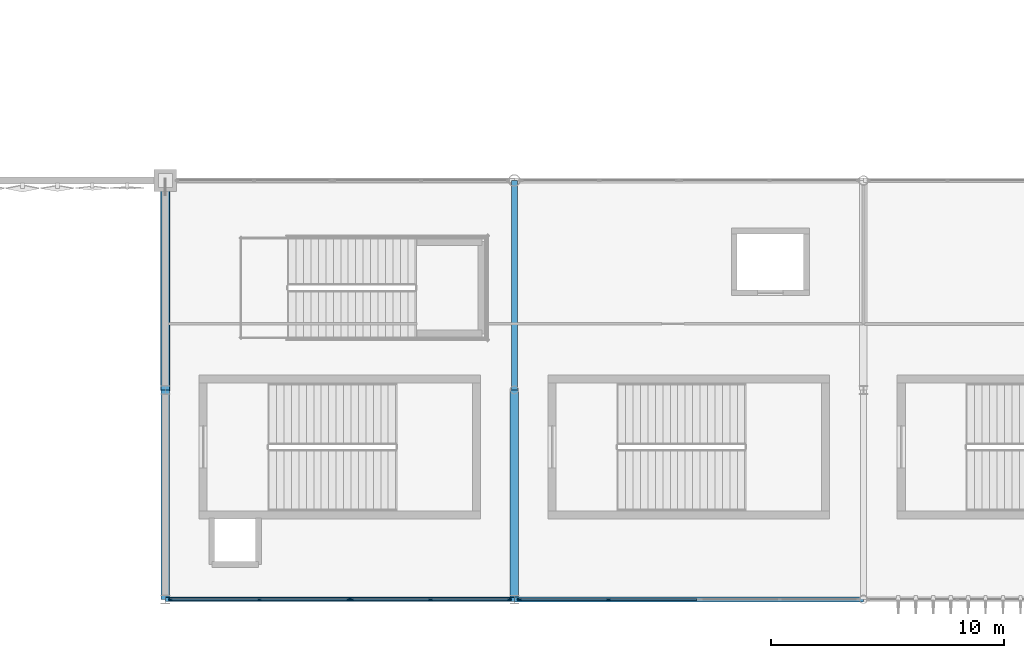
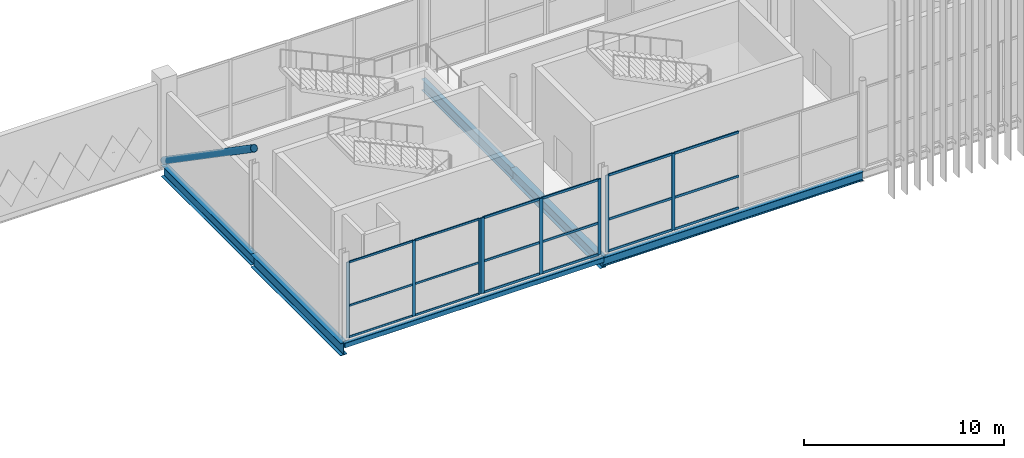
# One storey, part 24 of 119: 27 members, 6 beams, 3 elements without a shape of their own.
"""IFC4 building model written with IfcOpenShell, lengths in metres."""

from ifc_helpers import new_model, si_unit, direction, frame, origin, origin_2d, place, context, subcontext, project, spatial, rectangle, hollow_rectangle, hollow_circle, i_section, extrude, material, layer, layer_set, material_profile, profile_set, type_object, element, aggregate, save


model = new_model("IFC4")

# Units and contexts
model_context = context("Model", 3, precision=1e-05, world=origin(), true_north=direction((0.0, 1.0)))
body_context = subcontext(model_context, "Body", "Model", "MODEL_VIEW")
ifc_project = project(units=[si_unit("LENGTHUNIT", "METRE"), si_unit("AREAUNIT", "SQUARE_METRE"), si_unit("VOLUMEUNIT", "CUBIC_METRE"), si_unit("PLANEANGLEUNIT", "RADIAN"), si_unit("MASSUNIT", "GRAM", prefix="KILO")], contexts=[model_context])

# Site, building, storey
site_placement = place(None, origin())
site = spatial("IfcSite", under=ifc_project, at=site_placement, CompositionType="ELEMENT")
building_placement = place(site_placement, origin())
building = spatial("IfcBuilding", under=site, at=building_placement, Name="Qamarlyn Nura Convention Centre", CompositionType="ELEMENT")
storey_placement = place(building_placement, frame((0.0, 0.0, 5.39990234375)))
storey = spatial("IfcBuildingStorey", under=building, at=storey_placement, Name="L01", CompositionType="ELEMENT", Elevation=5.39990234375)

# Beams
ifc_material_1 = material(Name="Steel ASTM A992", Category="steel")
ifc_material_profile_1 = material_profile(ifc_material_1, i_section(OverallWidth=0.35498046875, OverallDepth=0.695068359375, WebThickness=0.015380859375, FlangeThickness=0.02490234375, FilletRadius=0.01806640625, at=origin_2d()), Name="W690X217")
ifc_profile_set_1 = profile_set([ifc_material_profile_1], Name="Steel ASTM A992")
beam_type_1 = type_object("IfcBeamType", Name="BM-GIRD-690A", PredefinedType="BEAM", material=ifc_profile_set_1)
for number, where, z_axis, x_axis, name in (
    (1, (60.0, 9.0, -0.5673828125), (0.0, 1.0, 0.0), (-1.0, 0.0, 0.0), "L01 girder 5 B-C"),
    (2, (75.0, 0.0, -0.5673828125), (0.0, 1.0, 0.0), (-1.0, 0.0, 0.0), "L01 girder 6 A-B"),
):
    element("IfcBeam", number, at=place(storey_placement, frame(where, z_axis=z_axis, x_axis=x_axis)), inside=storey, type_object=beam_type_1, Name=name, PredefinedType="BEAM", context=body_context, shape_type="SweptSolid", body=[
        extrude(i_section(OverallWidth=0.35498046875, OverallDepth=0.695068359375, WebThickness=0.015380859375, FlangeThickness=0.02490234375, FilletRadius=0.01806640625, at=origin_2d()), origin(), (0.0, 0.0, 1.0), 9.0),
    ])
ifc_material_profile_2 = material_profile(ifc_material_1, i_section(OverallWidth=0.25390625, OverallDepth=0.68408203125, WebThickness=0.012451171875, FlangeThickness=0.01904296875, FilletRadius=0.01806640625, at=origin_2d()), Name="W690X140")
ifc_profile_set_2 = profile_set([ifc_material_profile_2], Name="Steel ASTM A992")
beam_type_2 = type_object("IfcBeamType", Name="BM-GIRD-690B", PredefinedType="BEAM", material=ifc_profile_set_2)
beam_1_placement = place(storey_placement, frame((75.0, 9.0, -0.56201171875), z_axis=(0.0, 1.0, 0.0), x_axis=(-1.0, 0.0, 0.0)))
element("IfcBeam", 3, at=beam_1_placement, inside=storey, type_object=beam_type_2, Name="L01 girder 6 B-C", PredefinedType="BEAM", context=body_context, shape_type="SweptSolid", body=[
    extrude(i_section(OverallWidth=0.25390625, OverallDepth=0.68408203125, WebThickness=0.012451171875, FlangeThickness=0.01904296875, FilletRadius=0.01806640625, at=origin_2d()), origin(), (0.0, 0.0, 1.0), 9.0),
])
ifc_material_profile_3 = material_profile(ifc_material_1, i_section(OverallWidth=0.381103515625, OverallDepth=0.77294921875, WebThickness=0.0166015625, FlangeThickness=0.027587890625, FilletRadius=0.02001953125, at=origin_2d()), Name="W760X257")
ifc_profile_set_3 = profile_set([ifc_material_profile_3], Name="Steel ASTM A992")
beam_type_3 = type_object("IfcBeamType", Name="BM-GIRD-760", PredefinedType="BEAM", material=ifc_profile_set_3)
beam_2_placement = place(storey_placement, frame((60.0, 0.0, -0.6064453125), z_axis=(0.0, 1.0, 0.0), x_axis=(-1.0, 0.0, 0.0)))
element("IfcBeam", 4, at=beam_2_placement, inside=storey, type_object=beam_type_3, Name="L01 girder 5 A-B", PredefinedType="BEAM", context=body_context, shape_type="SweptSolid", body=[
    extrude(i_section(OverallWidth=0.381103515625, OverallDepth=0.77294921875, WebThickness=0.0166015625, FlangeThickness=0.027587890625, FilletRadius=0.02001953125, at=origin_2d()), origin(), (0.0, 0.0, 1.0), 9.0),
])
ifc_material_profile_4 = material_profile(ifc_material_1, i_section(OverallWidth=0.2109375, OverallDepth=0.5390625, WebThickness=0.01171875, FlangeThickness=0.018798828125, FilletRadius=0.013916015625, at=origin_2d()), Name="W530X109")
ifc_profile_set_4 = profile_set([ifc_material_profile_4], Name="Steel ASTM A992")
beam_type_4 = type_object("IfcBeamType", Name="BM-SPAN-530", PredefinedType="SPANDREL", material=ifc_profile_set_4)
beam_3_placement = place(storey_placement, frame((75.0, 0.0, -0.489501953125), z_axis=(1.0, 0.0, 0.0), x_axis=(0.0, 1.0, 0.0)))
element("IfcBeam", 5, at=beam_3_placement, inside=storey, type_object=beam_type_4, Name="L01 girder A 6-7", PredefinedType="SPANDREL", context=body_context, shape_type="SweptSolid", body=[
    extrude(i_section(OverallWidth=0.2109375, OverallDepth=0.5390625, WebThickness=0.01171875, FlangeThickness=0.018798828125, FilletRadius=0.013916015625, at=origin_2d()), origin(), (0.0, 0.0, 1.0), 15.0),
])
ifc_material_2 = material(Name="Steel ASTM A500 Grade C", Category="steel")
ifc_material_profile_5 = material_profile(ifc_material_2, hollow_rectangle(XDim=0.199951171875, YDim=0.300048828125, WallThickness=0.012451171875, InnerFilletRadius=0.012451171875, OuterFilletRadius=0.02490234375, at=origin_2d()), Name="HSS300X200X12.5")
ifc_profile_set_5 = profile_set([ifc_material_profile_5], Name="Steel ASTM A500 Grade C")
beam_type_5 = type_object("IfcBeamType", Name="BM-SPAN-HSS", PredefinedType="SPANDREL", material=ifc_profile_set_5)
beam_4_placement = place(storey_placement, frame((60.0, 0.0, -0.369873046875), z_axis=(1.0, 0.0, 0.0), x_axis=(0.0, 1.0, 0.0)))
element("IfcBeam", 6, at=beam_4_placement, inside=storey, type_object=beam_type_5, Name="L01 girder A 5-6", PredefinedType="SPANDREL", context=body_context, shape_type="SweptSolid", body=[
    extrude(hollow_rectangle(XDim=0.199951171875, YDim=0.300048828125, WallThickness=0.012451171875, InnerFilletRadius=0.012451171875, OuterFilletRadius=0.02490234375, at=origin_2d()), origin(), (0.0, 0.0, 1.0), 15.0),
])

# Curtain wall, members
ifc_material_3 = material(Name="Double-silver low-E insulated glass", Category="glass")
ifc_layer_1 = layer(ifc_material_3, 0.179931640625, Name="CW-UNIT-10")
ifc_layer_set_1 = layer_set([ifc_layer_1], Name="Double-silver low-E insulated glass")
curtain_wall_type_1 = type_object("IfcCurtainWallType", Name="CW-UNIT-10", PredefinedType="NOTDEFINED", material=ifc_layer_set_1)
curtain_wall_1_placement = place(storey_placement, origin())
curtain_wall_1 = element("IfcCurtainWall", 7, at=curtain_wall_1_placement, inside=storey, type_object=curtain_wall_type_1, Name="L01 unitised curtain wall SF-S1-1B", PredefinedType="NOTDEFINED")
ifc_material_4 = material(Name="Champagne-anodised marine aluminium", Category="aluminium")
ifc_material_profile_6 = material_profile(ifc_material_4, rectangle(XDim=0.06494140625, YDim=0.159912109375, at=origin_2d()), Name="ALU MULLION 65x160")
ifc_profile_set_6 = profile_set([ifc_material_profile_6], Name="Champagne-anodised marine aluminium")
member_type_1 = type_object("IfcMemberType", Name="CWM-160", PredefinedType="MULLION", material=ifc_profile_set_6)
member_1_placement = place(storey_placement, frame((67.86767578125, 0.0, 0.0), z_axis=(0.0, 0.0, 1.0), x_axis=(0.0, -1.0, 0.0)))
member_1 = element("IfcMember", 8, at=member_1_placement, type_object=member_type_1, Name="CW10 mullion 1", PredefinedType="MULLION", context=body_context, shape_type="SweptSolid", body=[
    extrude(rectangle(XDim=0.06494140625, YDim=0.159912109375, at=origin_2d()), origin(), (0.0, 0.0, 1.0), 4.6259765625),
])
member_2_placement = place(storey_placement, frame((64.04345703125, 0.0, 0.0), z_axis=(0.0, 0.0, 1.0), x_axis=(0.0, -1.0, 0.0)))
member_2 = element("IfcMember", 9, at=member_2_placement, type_object=member_type_1, Name="CW10 mullion 2", PredefinedType="MULLION", context=body_context, shape_type="SweptSolid", body=[
    extrude(rectangle(XDim=0.06494140625, YDim=0.159912109375, at=origin_2d()), origin(), (0.0, 0.0, 1.0), 4.6259765625),
])
member_3_placement = place(storey_placement, frame((60.219482421875, 0.0, 0.0), z_axis=(0.0, 0.0, 1.0), x_axis=(0.0, -1.0, 0.0)))
member_3 = element("IfcMember", 10, at=member_3_placement, type_object=member_type_1, Name="CW10 mullion 3", PredefinedType="MULLION", context=body_context, shape_type="SweptSolid", body=[
    extrude(rectangle(XDim=0.06494140625, YDim=0.159912109375, at=origin_2d()), origin(), (0.0, 0.0, 1.0), 4.6259765625),
])

ifc_layer_2 = layer(ifc_material_3, 0.179931640625, Name="CW-UNIT-09")
ifc_layer_set_2 = layer_set([ifc_layer_2], Name="Double-silver low-E insulated glass")
curtain_wall_type_2 = type_object("IfcCurtainWallType", Name="CW-UNIT-09", PredefinedType="NOTDEFINED", material=ifc_layer_set_2)
curtain_wall_2_placement = place(storey_placement, origin())
curtain_wall_2 = element("IfcCurtainWall", 11, at=curtain_wall_2_placement, inside=storey, type_object=curtain_wall_type_2, Name="L01 unitised curtain wall SF-S1-1A", PredefinedType="NOTDEFINED")
ifc_material_profile_7 = material_profile(ifc_material_4, rectangle(XDim=0.070068359375, YDim=0.179931640625, at=origin_2d()), Name="ALU MULLION 70x180")
ifc_profile_set_7 = profile_set([ifc_material_profile_7], Name="Champagne-anodised marine aluminium")
member_type_2 = type_object("IfcMemberType", Name="CWM-180", PredefinedType="MULLION", material=ifc_profile_set_7)
member_4_placement = place(storey_placement, frame((74.780517578125, 0.0, 0.0), z_axis=(0.0, 0.0, 1.0), x_axis=(0.0, -1.0, 0.0)))
member_4 = element("IfcMember", 12, at=member_4_placement, type_object=member_type_2, Name="CW09 mullion 1", PredefinedType="MULLION", context=body_context, shape_type="SweptSolid", body=[
    extrude(rectangle(XDim=0.070068359375, YDim=0.179931640625, at=origin_2d()), origin(), (0.0, 0.0, 1.0), 4.6259765625),
])
member_5_placement = place(storey_placement, frame((71.397705078125, 0.0, 0.0), z_axis=(0.0, 0.0, 1.0), x_axis=(0.0, -1.0, 0.0)))
member_5 = element("IfcMember", 13, at=member_5_placement, type_object=member_type_2, Name="CW09 mullion 2", PredefinedType="MULLION", context=body_context, shape_type="SweptSolid", body=[
    extrude(rectangle(XDim=0.070068359375, YDim=0.179931640625, at=origin_2d()), origin(), (0.0, 0.0, 1.0), 4.6259765625),
])
member_6_placement = place(storey_placement, frame((68.01513671875, 0.0, 0.0), z_axis=(0.0, 0.0, 1.0), x_axis=(0.0, -1.0, 0.0)))
member_6 = element("IfcMember", 14, at=member_6_placement, type_object=member_type_2, Name="CW09 mullion 3", PredefinedType="MULLION", context=body_context, shape_type="SweptSolid", body=[
    extrude(rectangle(XDim=0.070068359375, YDim=0.179931640625, at=origin_2d()), origin(), (0.0, 0.0, 1.0), 4.6259765625),
])

ifc_layer_3 = layer(ifc_material_3, 0.179931640625, Name="CW-UNIT-12")
ifc_layer_set_3 = layer_set([ifc_layer_3], Name="Double-silver low-E insulated glass")
curtain_wall_type_3 = type_object("IfcCurtainWallType", Name="CW-UNIT-12", PredefinedType="NOTDEFINED", material=ifc_layer_set_3)
curtain_wall_3_placement = place(storey_placement, origin())
curtain_wall_3 = element("IfcCurtainWall", 15, at=curtain_wall_3_placement, inside=storey, type_object=curtain_wall_type_3, Name="L01 unitised curtain wall SF-S2-1B", PredefinedType="NOTDEFINED")
member_7_placement = place(storey_placement, frame((79.04345703125, 0.0, 0.0), z_axis=(0.0, 0.0, 1.0), x_axis=(0.0, -1.0, 0.0)))
member_7 = element("IfcMember", 16, at=member_7_placement, type_object=member_type_2, Name="CW12 mullion 2", PredefinedType="MULLION", context=body_context, shape_type="SweptSolid", body=[
    extrude(rectangle(XDim=0.070068359375, YDim=0.179931640625, at=origin_2d()), origin(), (0.0, 0.0, 1.0), 4.69921875),
])
member_8_placement = place(storey_placement, frame((75.219482421875, 0.0, 0.0), z_axis=(0.0, 0.0, 1.0), x_axis=(0.0, -1.0, 0.0)))
member_8 = element("IfcMember", 17, at=member_8_placement, type_object=member_type_2, Name="CW12 mullion 3", PredefinedType="MULLION", context=body_context, shape_type="SweptSolid", body=[
    extrude(rectangle(XDim=0.070068359375, YDim=0.179931640625, at=origin_2d()), origin(), (0.0, 0.0, 1.0), 4.69921875),
])

# Member
ifc_material_profile_8 = material_profile(ifc_material_4, rectangle(XDim=0.06494140625, YDim=0.1201171875, at=origin_2d()), Name="ALU TRANSOM 65x120")
ifc_profile_set_8 = profile_set([ifc_material_profile_8], Name="Champagne-anodised marine aluminium")
member_type_3 = type_object("IfcMemberType", Name="CWT-120", PredefinedType="USERDEFINED", material=ifc_profile_set_8)
member_9_placement = place(storey_placement, frame((67.835205078125, 0.0, 0.03271484375), z_axis=(-1.0, 0.0, 0.0), x_axis=(0.0, -1.0, 0.0)))
member_9 = element("IfcMember", 18, at=member_9_placement, type_object=member_type_3, Name="CW10 transom 1.1", ObjectType="TRANSOM", PredefinedType="USERDEFINED", context=body_context, shape_type="SweptSolid", body=[
    extrude(rectangle(XDim=0.06494140625, YDim=0.1201171875, at=origin_2d()), origin(), (0.0, 0.0, 1.0), 3.759033203125),
])

member_10_placement = place(storey_placement, frame((67.835205078125, 0.0, 1.943115234375), z_axis=(-1.0, 0.0, 0.0), x_axis=(0.0, -1.0, 0.0)))
member_10 = element("IfcMember", 19, at=member_10_placement, type_object=member_type_3, Name="CW10 transom 1.2", ObjectType="TRANSOM", PredefinedType="USERDEFINED", context=body_context, shape_type="SweptSolid", body=[
    extrude(rectangle(XDim=0.06494140625, YDim=0.1201171875, at=origin_2d()), origin(), (0.0, 0.0, 1.0), 3.759033203125),
])

member_11_placement = place(storey_placement, frame((67.835205078125, 0.0, 4.593505859375), z_axis=(-1.0, 0.0, 0.0), x_axis=(0.0, -1.0, 0.0)))
member_11 = element("IfcMember", 20, at=member_11_placement, type_object=member_type_3, Name="CW10 transom 1.3", ObjectType="TRANSOM", PredefinedType="USERDEFINED", context=body_context, shape_type="SweptSolid", body=[
    extrude(rectangle(XDim=0.06494140625, YDim=0.1201171875, at=origin_2d()), origin(), (0.0, 0.0, 1.0), 3.759033203125),
])

member_12_placement = place(storey_placement, frame((64.010986328125, 0.0, 0.03271484375), z_axis=(-1.0, 0.0, 0.0), x_axis=(0.0, -1.0, 0.0)))
member_12 = element("IfcMember", 21, at=member_12_placement, type_object=member_type_3, Name="CW10 transom 2.1", ObjectType="TRANSOM", PredefinedType="USERDEFINED", context=body_context, shape_type="SweptSolid", body=[
    extrude(rectangle(XDim=0.06494140625, YDim=0.1201171875, at=origin_2d()), origin(), (0.0, 0.0, 1.0), 3.759033203125),
])

member_13_placement = place(storey_placement, frame((64.010986328125, 0.0, 1.943115234375), z_axis=(-1.0, 0.0, 0.0), x_axis=(0.0, -1.0, 0.0)))
member_13 = element("IfcMember", 22, at=member_13_placement, type_object=member_type_3, Name="CW10 transom 2.2", ObjectType="TRANSOM", PredefinedType="USERDEFINED", context=body_context, shape_type="SweptSolid", body=[
    extrude(rectangle(XDim=0.06494140625, YDim=0.1201171875, at=origin_2d()), origin(), (0.0, 0.0, 1.0), 3.759033203125),
])

member_14_placement = place(storey_placement, frame((64.010986328125, 0.0, 4.593505859375), z_axis=(-1.0, 0.0, 0.0), x_axis=(0.0, -1.0, 0.0)))
member_14 = element("IfcMember", 23, at=member_14_placement, type_object=member_type_3, Name="CW10 transom 2.3", ObjectType="TRANSOM", PredefinedType="USERDEFINED", context=body_context, shape_type="SweptSolid", body=[
    extrude(rectangle(XDim=0.06494140625, YDim=0.1201171875, at=origin_2d()), origin(), (0.0, 0.0, 1.0), 3.759033203125),
])

aggregate(curtain_wall_1, [member_1, member_2, member_3, member_9, member_10, member_11, member_12, member_13, member_14])

ifc_material_profile_9 = material_profile(ifc_material_4, rectangle(XDim=0.070068359375, YDim=0.139892578125, at=origin_2d()), Name="ALU TRANSOM 70x140")
ifc_profile_set_9 = profile_set([ifc_material_profile_9], Name="Champagne-anodised marine aluminium")
member_type_4 = type_object("IfcMemberType", Name="CWT-140", PredefinedType="USERDEFINED", material=ifc_profile_set_9)
member_15_placement = place(storey_placement, frame((74.74560546875, 0.0, 0.03515625), z_axis=(-1.0, 0.0, 0.0), x_axis=(0.0, -1.0, 0.0)))
member_15 = element("IfcMember", 24, at=member_15_placement, type_object=member_type_4, Name="CW09 transom 1.1", ObjectType="TRANSOM", PredefinedType="USERDEFINED", context=body_context, shape_type="SweptSolid", body=[
    extrude(rectangle(XDim=0.070068359375, YDim=0.139892578125, at=origin_2d()), origin(), (0.0, 0.0, 1.0), 3.312744140625),
])

member_16_placement = place(storey_placement, frame((74.74560546875, 0.0, 1.943115234375), z_axis=(-1.0, 0.0, 0.0), x_axis=(0.0, -1.0, 0.0)))
member_16 = element("IfcMember", 25, at=member_16_placement, type_object=member_type_4, Name="CW09 transom 1.2", ObjectType="TRANSOM", PredefinedType="USERDEFINED", context=body_context, shape_type="SweptSolid", body=[
    extrude(rectangle(XDim=0.070068359375, YDim=0.139892578125, at=origin_2d()), origin(), (0.0, 0.0, 1.0), 3.312744140625),
])

member_17_placement = place(storey_placement, frame((74.74560546875, 0.0, 4.591064453125), z_axis=(-1.0, 0.0, 0.0), x_axis=(0.0, -1.0, 0.0)))
member_17 = element("IfcMember", 26, at=member_17_placement, type_object=member_type_4, Name="CW09 transom 1.3", ObjectType="TRANSOM", PredefinedType="USERDEFINED", context=body_context, shape_type="SweptSolid", body=[
    extrude(rectangle(XDim=0.070068359375, YDim=0.139892578125, at=origin_2d()), origin(), (0.0, 0.0, 1.0), 3.312744140625),
])

member_18_placement = place(storey_placement, frame((71.36279296875, 0.0, 0.03515625), z_axis=(-1.0, 0.0, 0.0), x_axis=(0.0, -1.0, 0.0)))
member_18 = element("IfcMember", 27, at=member_18_placement, type_object=member_type_4, Name="CW09 transom 2.1", ObjectType="TRANSOM", PredefinedType="USERDEFINED", context=body_context, shape_type="SweptSolid", body=[
    extrude(rectangle(XDim=0.070068359375, YDim=0.139892578125, at=origin_2d()), origin(), (0.0, 0.0, 1.0), 3.312744140625),
])

member_19_placement = place(storey_placement, frame((71.36279296875, 0.0, 1.943115234375), z_axis=(-1.0, 0.0, 0.0), x_axis=(0.0, -1.0, 0.0)))
member_19 = element("IfcMember", 28, at=member_19_placement, type_object=member_type_4, Name="CW09 transom 2.2", ObjectType="TRANSOM", PredefinedType="USERDEFINED", context=body_context, shape_type="SweptSolid", body=[
    extrude(rectangle(XDim=0.070068359375, YDim=0.139892578125, at=origin_2d()), origin(), (0.0, 0.0, 1.0), 3.312744140625),
])

member_20_placement = place(storey_placement, frame((71.36279296875, 0.0, 4.591064453125), z_axis=(-1.0, 0.0, 0.0), x_axis=(0.0, -1.0, 0.0)))
member_20 = element("IfcMember", 29, at=member_20_placement, type_object=member_type_4, Name="CW09 transom 2.3", ObjectType="TRANSOM", PredefinedType="USERDEFINED", context=body_context, shape_type="SweptSolid", body=[
    extrude(rectangle(XDim=0.070068359375, YDim=0.139892578125, at=origin_2d()), origin(), (0.0, 0.0, 1.0), 3.312744140625),
])

aggregate(curtain_wall_2, [member_4, member_5, member_6, member_15, member_16, member_17, member_18, member_19, member_20])

member_21_placement = place(storey_placement, frame((82.83251953125, 0.0, 0.03515625), z_axis=(-1.0, 0.0, 0.0), x_axis=(0.0, -1.0, 0.0)))
member_21 = element("IfcMember", 30, at=member_21_placement, type_object=member_type_4, Name="CW12 transom 1.1", ObjectType="TRANSOM", PredefinedType="USERDEFINED", context=body_context, shape_type="SweptSolid", body=[
    extrude(rectangle(XDim=0.070068359375, YDim=0.139892578125, at=origin_2d()), origin(), (0.0, 0.0, 1.0), 3.75390625),
])

member_22_placement = place(storey_placement, frame((82.83251953125, 0.0, 1.97412109375), z_axis=(-1.0, 0.0, 0.0), x_axis=(0.0, -1.0, 0.0)))
member_22 = element("IfcMember", 31, at=member_22_placement, type_object=member_type_4, Name="CW12 transom 1.2", ObjectType="TRANSOM", PredefinedType="USERDEFINED", context=body_context, shape_type="SweptSolid", body=[
    extrude(rectangle(XDim=0.070068359375, YDim=0.139892578125, at=origin_2d()), origin(), (0.0, 0.0, 1.0), 3.75390625),
])

member_23_placement = place(storey_placement, frame((82.83251953125, 0.0, 4.6640625), z_axis=(-1.0, 0.0, 0.0), x_axis=(0.0, -1.0, 0.0)))
member_23 = element("IfcMember", 32, at=member_23_placement, type_object=member_type_4, Name="CW12 transom 1.3", ObjectType="TRANSOM", PredefinedType="USERDEFINED", context=body_context, shape_type="SweptSolid", body=[
    extrude(rectangle(XDim=0.070068359375, YDim=0.139892578125, at=origin_2d()), origin(), (0.0, 0.0, 1.0), 3.75390625),
])

member_24_placement = place(storey_placement, frame((79.008544921875, 0.0, 0.03515625), z_axis=(-1.0, 0.0, 0.0), x_axis=(0.0, -1.0, 0.0)))
member_24 = element("IfcMember", 33, at=member_24_placement, type_object=member_type_4, Name="CW12 transom 2.1", ObjectType="TRANSOM", PredefinedType="USERDEFINED", context=body_context, shape_type="SweptSolid", body=[
    extrude(rectangle(XDim=0.070068359375, YDim=0.139892578125, at=origin_2d()), origin(), (0.0, 0.0, 1.0), 3.754150390625),
])

member_25_placement = place(storey_placement, frame((79.008544921875, 0.0, 1.97412109375), z_axis=(-1.0, 0.0, 0.0), x_axis=(0.0, -1.0, 0.0)))
member_25 = element("IfcMember", 34, at=member_25_placement, type_object=member_type_4, Name="CW12 transom 2.2", ObjectType="TRANSOM", PredefinedType="USERDEFINED", context=body_context, shape_type="SweptSolid", body=[
    extrude(rectangle(XDim=0.070068359375, YDim=0.139892578125, at=origin_2d()), origin(), (0.0, 0.0, 1.0), 3.754150390625),
])

member_26_placement = place(storey_placement, frame((79.008544921875, 0.0, 4.6640625), z_axis=(-1.0, 0.0, 0.0), x_axis=(0.0, -1.0, 0.0)))
member_26 = element("IfcMember", 35, at=member_26_placement, type_object=member_type_4, Name="CW12 transom 2.3", ObjectType="TRANSOM", PredefinedType="USERDEFINED", context=body_context, shape_type="SweptSolid", body=[
    extrude(rectangle(XDim=0.070068359375, YDim=0.139892578125, at=origin_2d()), origin(), (0.0, 0.0, 1.0), 3.754150390625),
])

aggregate(curtain_wall_3, [member_7, member_8, member_21, member_22, member_23, member_24, member_25, member_26])

ifc_material_5 = material(Name="Pearl-white PVDF steel ASTM A500 Grade C", Category="steel")
ifc_material_profile_10 = material_profile(ifc_material_5, hollow_circle(Radius=0.203125, WallThickness=0.01611328125, at=origin_2d()), Name="CHS406.4X16")
ifc_profile_set_10 = profile_set([ifc_material_profile_10], Name="Pearl-white PVDF steel ASTM A500 Grade C")
member_type_5 = type_object("IfcMemberType", Name="STR-TREE-01", PredefinedType="BRACE", material=ifc_profile_set_10)
member_27_placement = place(storey_placement, frame((60.0, 18.0, 0.0), z_axis=(0.0, -0.823499251908, 0.567317355725), x_axis=(1.0, 0.0, 0.0)))
element("IfcMember", 36, at=member_27_placement, inside=storey, type_object=member_type_5, Name="Raked tree strut RTS-S-6", PredefinedType="BRACE", context=body_context, shape_type="SweptSolid", body=[
    extrude(hollow_circle(Radius=0.203125, WallThickness=0.01611328125, at=origin_2d()), origin(), (0.0, 0.0, 1.0), 10.928955078125),
])

save(model, "model.ifc")
